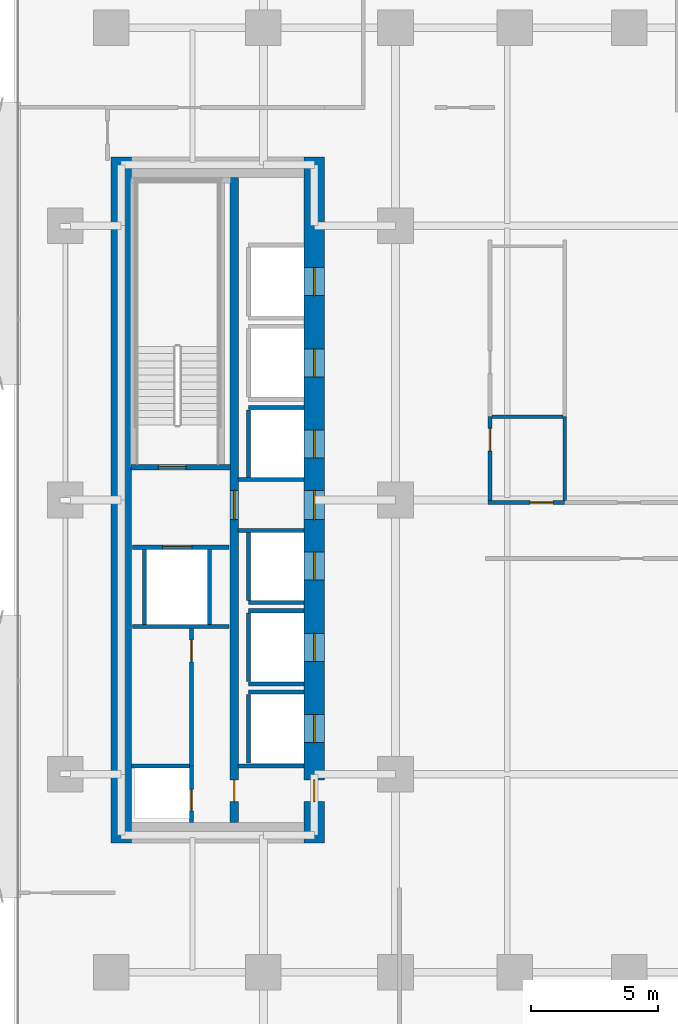
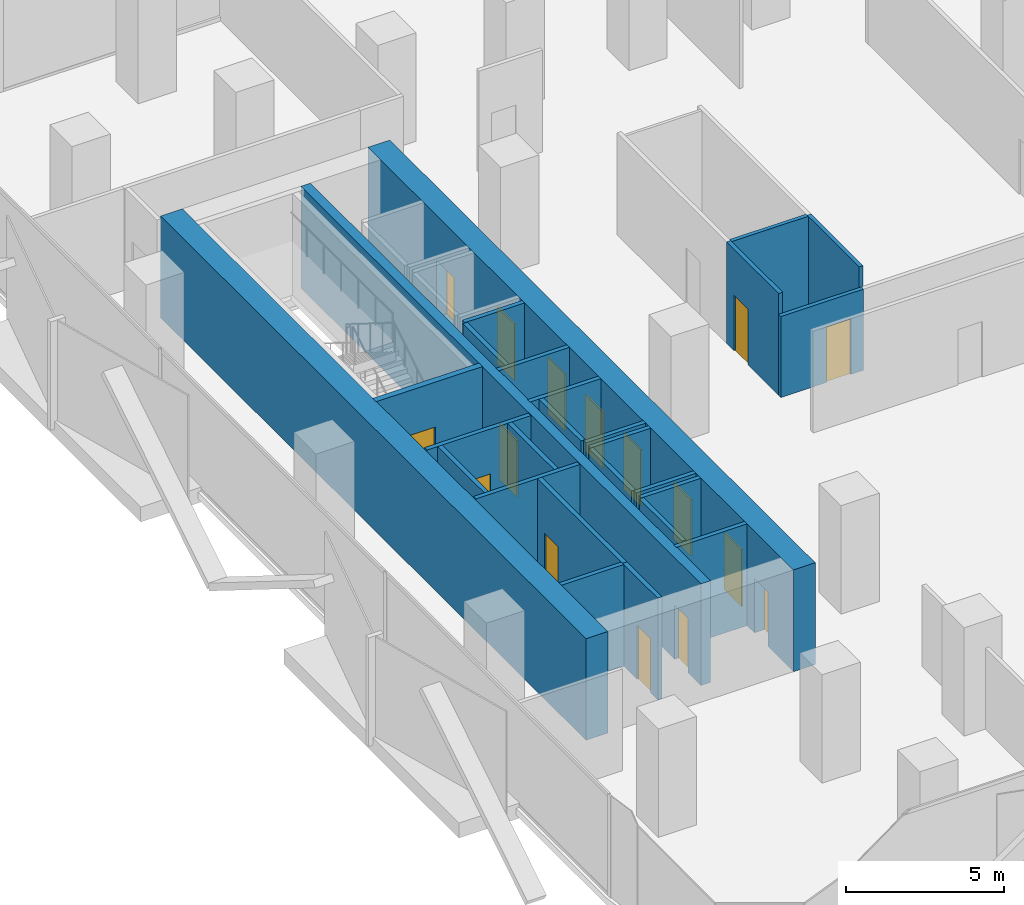
# One storey, part 3 of 15: 27 walls, 16 doors, 16 openings.
"""IFC4 building model written with IfcOpenShell, lengths in metres."""

from ifc_helpers import new_model, si_unit, direction, frame, frame_2d, origin, place, context, subcontext, project, spatial, rectangle, extrude, material, layer, layer_set, type_object, element, fill, save


model = new_model("IFC4")

# Units and contexts
model_context = context("Model", 3, precision=1e-05, world=origin(), true_north=direction((0.0, 1.0)))
body_context = subcontext(model_context, "Body", "Model", "MODEL_VIEW")
ifc_project = project(units=[si_unit("LENGTHUNIT", "METRE"), si_unit("AREAUNIT", "SQUARE_METRE"), si_unit("VOLUMEUNIT", "CUBIC_METRE"), si_unit("PLANEANGLEUNIT", "RADIAN"), si_unit("MASSUNIT", "GRAM", prefix="KILO")], contexts=[model_context])

# Site, building, storey
site_placement = place(None, origin())
site = spatial("IfcSite", under=ifc_project, at=site_placement, CompositionType="ELEMENT")
building_placement = place(site_placement, origin())
building = spatial("IfcBuilding", under=site, at=building_placement, Name="Khairoan Windgate Tower", CompositionType="ELEMENT")
storey_placement = place(building_placement, frame((0.0, 0.0, 51.199951171875)))
storey = spatial("IfcBuildingStorey", under=building, at=storey_placement, Name="L12", CompositionType="ELEMENT", Elevation=51.199951171875)

# Walls
ifc_material_1 = material(Name="Concrete C40/50", Category="concrete")
ifc_layer_1 = layer(ifc_material_1, 0.159912109375, Name="Concrete C40/50")
ifc_layer_set_1 = layer_set([ifc_layer_1], Name="Concrete C40/50")
wall_type_1 = type_object("IfcWallType", Name="Core and Hoistway Enclosure Wall", PredefinedType="STANDARD", material=ifc_layer_set_1)
wall_1_placement = place(storey_placement, frame((-14.989990234375, 3.639892578125, 0.0), z_axis=(0.0, 0.0, 1.0), x_axis=(1.0, 0.0, 0.0)))
element("IfcWall", 1, at=wall_1_placement, inside=storey, type_object=wall_type_1, Name="L12 Lift PL3 Hoistway Divider N", PredefinedType="STANDARD", context=body_context, shape_type="SweptSolid", body=[
    extrude(rectangle(XDim=2.18994140625, YDim=0.159912109375, at=frame_2d((1.094970703125, 0.0))), origin(), (0.0, 0.0, 1.0), 3.93994140625),
])
wall_2_placement = place(storey_placement, frame((-14.989990234375, 0.85009765625, 0.0), z_axis=(0.0, 0.0, 1.0), x_axis=(0.0, 1.0, 0.0)))
element("IfcWall", 2, at=wall_2_placement, inside=storey, type_object=wall_type_1, Name="L12 Lift PL3 Hoistway Back Wall", PredefinedType="STANDARD", context=body_context, shape_type="SweptSolid", body=[
    extrude(rectangle(XDim=2.699951171875, YDim=0.159912109375, at=frame_2d((1.35009765625, 0.0))), origin(), (0.0, 0.0, 1.0), 3.93994140625),
])
wall_3_placement = place(storey_placement, frame((-14.989990234375, -4.0400390625, 0.0), z_axis=(0.0, 0.0, 1.0), x_axis=(1.0, 0.0, 0.0)))
element("IfcWall", 3, at=wall_3_placement, inside=storey, type_object=wall_type_1, Name="L12 Lift PL4 Hoistway Divider S", PredefinedType="STANDARD", context=body_context, shape_type="SweptSolid", body=[
    extrude(rectangle(XDim=2.18994140625, YDim=0.159912109375, at=frame_2d((1.094970703125, 0.0))), origin(), (0.0, 0.0, 1.0), 3.93994140625),
])
wall_4_placement = place(storey_placement, frame((-14.989990234375, -3.949951171875, 0.0), z_axis=(0.0, 0.0, 1.0), x_axis=(0.0, 1.0, 0.0)))
element("IfcWall", 4, at=wall_4_placement, inside=storey, type_object=wall_type_1, Name="L12 Lift PL4 Hoistway Back Wall", PredefinedType="STANDARD", context=body_context, shape_type="SweptSolid", body=[
    extrude(rectangle(XDim=2.699951171875, YDim=0.159912109375, at=frame_2d((1.35009765625, 0.0))), origin(), (0.0, 0.0, 1.0), 3.93994140625),
])
for number, where, z_axis, x_axis, name in (
    (5, (-14.989990234375, -7.239990234375, 0.0), (0.0, 0.0, 1.0), (1.0, 0.0, 0.0), "L12 Lift PL5 Hoistway Divider S"),
    (6, (-14.989990234375, -4.360107421875, 0.0), (0.0, 0.0, 1.0), (1.0, 0.0, 0.0), "L12 Lift PL5 Hoistway Divider N"),
):
    element("IfcWall", number, at=place(storey_placement, frame(where, z_axis=z_axis, x_axis=x_axis)), inside=storey, type_object=wall_type_1, Name=name, PredefinedType="STANDARD", context=body_context, shape_type="SweptSolid", body=[
        extrude(rectangle(XDim=2.18994140625, YDim=0.159912109375, at=frame_2d((1.094970703125, 0.0))), origin(), (0.0, 0.0, 1.0), 3.93994140625),
    ])
wall_5_placement = place(storey_placement, frame((-14.989990234375, -7.14990234375, 0.0), z_axis=(0.0, 0.0, 1.0), x_axis=(0.0, 1.0, 0.0)))
element("IfcWall", 7, at=wall_5_placement, inside=storey, type_object=wall_type_1, Name="L12 Lift PL5 Hoistway Back Wall", PredefinedType="STANDARD", context=body_context, shape_type="SweptSolid", body=[
    extrude(rectangle(XDim=2.699951171875, YDim=0.159912109375, at=frame_2d((1.35009765625, 0.0))), origin(), (0.0, 0.0, 1.0), 3.93994140625),
])
wall_6_placement = place(storey_placement, frame((-14.989990234375, -7.56005859375, 0.0), z_axis=(0.0, 0.0, 1.0), x_axis=(1.0, 0.0, 0.0)))
element("IfcWall", 8, at=wall_6_placement, inside=storey, type_object=wall_type_1, Name="L12 Lift PL6 Hoistway Divider N", PredefinedType="STANDARD", context=body_context, shape_type="SweptSolid", body=[
    extrude(rectangle(XDim=2.18994140625, YDim=0.159912109375, at=frame_2d((1.094970703125, 0.0))), origin(), (0.0, 0.0, 1.0), 3.93994140625),
])
wall_7_placement = place(storey_placement, frame((-14.989990234375, -10.35009765625, 0.0), z_axis=(0.0, 0.0, 1.0), x_axis=(0.0, 1.0, 0.0)))
element("IfcWall", 9, at=wall_7_placement, inside=storey, type_object=wall_type_1, Name="L12 Lift PL6 Hoistway Back Wall", PredefinedType="STANDARD", context=body_context, shape_type="SweptSolid", body=[
    extrude(rectangle(XDim=2.7001953125, YDim=0.159912109375, at=frame_2d((1.35009765625, 0.0))), origin(), (0.0, 0.0, 1.0), 3.93994140625),
])

# Wall, opening, door
wall_8_placement = place(storey_placement, frame((-19.550048828125, -1.860107421875, 0.0), z_axis=(0.0, 0.0, 1.0), x_axis=(1.0, 0.0, 0.0)))
wall_8 = element("IfcWall", 10, at=wall_8_placement, inside=storey, type_object=wall_type_1, Name="L12 Core Shaft Wall SW-FL2-L12", PredefinedType="STANDARD", context=body_context, shape_type="SweptSolid", body=[
    extrude(rectangle(XDim=3.800048828125, YDim=0.159912109375, at=frame_2d((1.89990234375, 0.0))), origin(), (0.0, 0.0, 1.0), 3.93994140625),
])
opening_1_placement = place(wall_8_placement, frame((1.179931640625, 0.0, 0.0)))
opening_1 = element("IfcOpeningElement", 11, at=opening_1_placement, cuts=wall_8, Name="Opening LD-FL", PredefinedType="OPENING", context=body_context, shape_type="SweptSolid", body=[
    extrude(rectangle(XDim=1.14990234375, YDim=2.199951171875, at=frame_2d((0.574951171875, 1.10009765625))), frame((0.0, 0.08984375, 0.0), z_axis=(0.0, -1.0, 0.0), x_axis=(1.0, 0.0, 0.0)), (0.0, 0.0, 1.0), 0.179931640625),
])
ifc_material_2 = material(Name="Steel S355", Category="steel")
door_type_1 = type_object("IfcDoorType", Name="Firefighting Lift Sliding Landing Door LD-FL 1150x2200", OperationType="DOUBLE_DOOR_SLIDING", PredefinedType="DOOR", material=ifc_material_2)
door_1_placement = place(opening_1_placement, origin())
door_1 = element("IfcDoor", 12, at=door_1_placement, inside=storey, type_object=door_type_1, Name="L12 Firefighting Lift FL2 Landing Door", OperationType="DOUBLE_DOOR_SLIDING", OverallHeight=2.199951171875, OverallWidth=1.14990234375, PredefinedType="DOOR", context=body_context, shape_type="SweptSolid", body=[
    extrude(rectangle(XDim=1.14990234375, YDim=2.199951171875, at=frame_2d((0.574951171875, 1.10009765625))), frame((0.0, 0.02490234375, 0.0), z_axis=(0.0, -1.0, 0.0), x_axis=(1.0, 0.0, 0.0)), (0.0, 0.0, 1.0), 0.050048828125),
])
fill(opening_1, door_1)

# Walls
wall_9_placement = place(storey_placement, frame((-19.550048828125, -4.97998046875, 0.0), z_axis=(0.0, 0.0, 1.0), x_axis=(1.0, 0.0, 0.0)))
element("IfcWall", 13, at=wall_9_placement, inside=storey, type_object=wall_type_1, Name="L12 Core Shaft Wall SW-FL2B-L12", PredefinedType="STANDARD", context=body_context, shape_type="SweptSolid", body=[
    extrude(rectangle(XDim=3.800048828125, YDim=0.159912109375, at=frame_2d((1.89990234375, 0.0))), origin(), (0.0, 0.0, 1.0), 3.93994140625),
])
for number, where, z_axis, x_axis, name in (
    (14, (-19.080078125, -4.89990234375, 0.0), (0.0, 0.0, 1.0), (0.0, 1.0, 0.0), "L12 Core Shaft Wall SW-FL2W-L12"),
    (15, (-16.52001953125, -4.89990234375, 0.0), (0.0, 0.0, 1.0), (0.0, 1.0, 0.0), "L12 Core Shaft Wall SW-FL2E-L12"),
):
    element("IfcWall", number, at=place(storey_placement, frame(where, z_axis=z_axis, x_axis=x_axis)), inside=storey, type_object=wall_type_1, Name=name, PredefinedType="STANDARD", context=body_context, shape_type="SweptSolid", body=[
        extrude(rectangle(XDim=2.9599609375, YDim=0.159912109375, at=frame_2d((1.47998046875, 0.0))), origin(), (0.0, 0.0, 1.0), 3.93994140625),
    ])
for number, where, z_axis, x_axis, name in (
    (16, (-15.39990234375, 0.800048828125, 0.0), (0.0, 0.0, 1.0), (1.0, 0.0, 0.0), "L12 Core Shaft Wall SW-WV1-L12"),
    (17, (-15.39990234375, -1.199951171875, 0.0), (0.0, 0.0, 1.0), (1.0, 0.0, 0.0), "L12 Core Shaft Wall SW-WV2-L12"),
    (18, (-15.39990234375, -10.47998046875, 0.0), (0.0, 0.0, 1.0), (1.0, 0.0, 0.0), "L12 Core Shaft Wall SW-WSV-L12"),
):
    element("IfcWall", number, at=place(storey_placement, frame(where, z_axis=z_axis, x_axis=x_axis)), inside=storey, type_object=wall_type_1, Name=name, PredefinedType="STANDARD", context=body_context, shape_type="SweptSolid", body=[
        extrude(rectangle(XDim=2.599853515625, YDim=0.159912109375, at=frame_2d((1.2998046875, 0.0))), origin(), (0.0, 0.0, 1.0), 3.93994140625),
    ])
ifc_material_3 = material(Name="Acoustic Fire-Rated Gypsum Partition", Category="gypsum")
ifc_layer_2 = layer(ifc_material_3, 0.139892578125, Name="Acoustic Fire-Rated Gypsum Partition")
ifc_layer_set_2 = layer_set([ifc_layer_2], Name="Acoustic Fire-Rated Gypsum Partition")
wall_type_2 = type_object("IfcWallType", Name="Inter-Tenancy Compartment Wall", PredefinedType="PARTITIONING", material=ifc_layer_set_2)
wall_10_placement = place(storey_placement, frame((-5.409912109375, 3.280029296875, 0.0), z_axis=(0.0, 0.0, 1.0), x_axis=(1.0, 0.0, 0.0)))
element("IfcWall", 19, at=wall_10_placement, inside=storey, type_object=wall_type_2, Name="L12 Interior Partition 034", PredefinedType="PARTITIONING", context=body_context, shape_type="SweptSolid", body=[
    extrude(rectangle(XDim=2.7998046875, YDim=0.139892578125, at=frame_2d((1.39990234375, 0.0))), origin(), (0.0, 0.0, 1.0), 3.93994140625),
])
wall_11_placement = place(storey_placement, frame((-2.5400390625, -0.02001953125, 0.0), z_axis=(0.0, 0.0, 1.0), x_axis=(0.0, 1.0, 0.0)))
element("IfcWall", 20, at=wall_11_placement, inside=storey, type_object=wall_type_2, Name="L12 Interior Partition 035", PredefinedType="PARTITIONING", context=body_context, shape_type="SweptSolid", body=[
    extrude(rectangle(XDim=3.300048828125, YDim=0.139892578125, at=frame_2d((1.64990234375, 0.0))), origin(), (0.0, 0.0, 1.0), 3.93994140625),
])

# Wall, opening, door
ifc_material_4 = material(Name="Concrete C40/50", Category="concrete")
ifc_layer_3 = layer(ifc_material_4, 0.159912109375, Name="Concrete C40/50")
ifc_layer_set_3 = layer_set([ifc_layer_3], Name="Concrete C40/50")
wall_type_3 = type_object("IfcWallType", Name="Plant and Refuge Compartment Wall", PredefinedType="PARTITIONING", material=ifc_layer_set_3)
wall_12_placement = place(storey_placement, frame((-17.22998046875, -12.699951171875, 0.0), z_axis=(0.0, 0.0, 1.0), x_axis=(0.0, 1.0, 0.0)))
wall_12 = element("IfcWall", 21, at=wall_12_placement, inside=storey, type_object=wall_type_3, Name="L12 Interior Partition 001", PredefinedType="PARTITIONING", context=body_context, shape_type="SweptSolid", body=[
    extrude(rectangle(XDim=2.22998046875, YDim=0.159912109375, at=frame_2d((1.114990234375, 0.0))), origin(), (0.0, 0.0, 1.0), 3.93994140625),
])
opening_2_placement = place(wall_12_placement, frame((0.4599609375, 0.0, 0.0)))
opening_2 = element("IfcOpeningElement", 22, at=opening_2_placement, cuts=wall_12, Name="Opening FD-SRV", PredefinedType="OPENING", context=body_context, shape_type="SweptSolid", body=[
    extrude(rectangle(XDim=0.85009765625, YDim=2.10009765625, at=frame_2d((0.425048828125, 1.050048828125))), frame((0.0, 0.08984375, 0.0), z_axis=(0.0, -1.0, 0.0), x_axis=(1.0, 0.0, 0.0)), (0.0, 0.0, 1.0), 0.179931640625),
])
ifc_material_5 = material(Name="Steel S355", Category="steel")
door_type_2 = type_object("IfcDoorType", Name="Core Service and Riser Fire Door FD-SRV 850x2100", OperationType="NOTDEFINED", PredefinedType="DOOR", material=ifc_material_5)
door_2_placement = place(opening_2_placement, origin())
door_2 = element("IfcDoor", 23, at=door_2_placement, inside=storey, type_object=door_type_2, Name="L12 L12-04-L12-05 Door", OperationType="SINGLE_SWING_RIGHT", OverallHeight=2.10009765625, OverallWidth=0.85009765625, PredefinedType="DOOR", context=body_context, shape_type="SweptSolid", body=[
    extrude(rectangle(XDim=0.85009765625, YDim=2.10009765625, at=frame_2d((0.425048828125, 1.050048828125))), frame((0.0, 0.02490234375, 0.0), z_axis=(0.0, -1.0, 0.0), x_axis=(1.0, 0.0, 0.0)), (0.0, 0.0, 1.0), 0.050048828125),
])
fill(opening_2, door_2)

wall_13_placement = place(storey_placement, frame((-17.22998046875, -10.469970703125, 0.0), z_axis=(0.0, 0.0, 1.0), x_axis=(0.0, 1.0, 0.0)))
wall_13 = element("IfcWall", 24, at=wall_13_placement, inside=storey, type_object=wall_type_3, Name="L12 Interior Partition 002", PredefinedType="PARTITIONING", context=body_context, shape_type="SweptSolid", body=[
    extrude(rectangle(XDim=5.409912109375, YDim=0.159912109375, at=frame_2d((2.705078125, 0.0))), origin(), (0.0, 0.0, 1.0), 3.93994140625),
])
opening_3_placement = place(wall_13_placement, frame((4.10009765625, 0.0, 0.0)))
opening_3 = element("IfcOpeningElement", 25, at=opening_3_placement, cuts=wall_13, Name="Opening FD-SRV", PredefinedType="OPENING", context=body_context, shape_type="SweptSolid", body=[
    extrude(rectangle(XDim=0.85009765625, YDim=2.10009765625, at=frame_2d((0.425048828125, 1.050048828125))), frame((0.0, 0.08984375, 0.0), z_axis=(0.0, -1.0, 0.0), x_axis=(1.0, 0.0, 0.0)), (0.0, 0.0, 1.0), 0.179931640625),
])
door_3_placement = place(opening_3_placement, origin())
door_3 = element("IfcDoor", 26, at=door_3_placement, inside=storey, type_object=door_type_2, Name="L12 L12-04-L12-06 Door", OperationType="SINGLE_SWING_LEFT", OverallHeight=2.10009765625, OverallWidth=0.85009765625, PredefinedType="DOOR", context=body_context, shape_type="SweptSolid", body=[
    extrude(rectangle(XDim=0.85009765625, YDim=2.10009765625, at=frame_2d((0.425048828125, 1.050048828125))), frame((0.0, 0.02490234375, 0.0), z_axis=(0.0, -1.0, 0.0), x_axis=(1.0, 0.0, 0.0)), (0.0, 0.0, 1.0), 0.050048828125),
])
fill(opening_3, door_3)

# Wall
wall_14_placement = place(storey_placement, frame((-19.60009765625, -10.469970703125, 0.0), z_axis=(0.0, 0.0, 1.0), x_axis=(1.0, 0.0, 0.0)))
element("IfcWall", 27, at=wall_14_placement, inside=storey, type_object=wall_type_3, Name="L12 Interior Partition 003", PredefinedType="PARTITIONING", context=body_context, shape_type="SweptSolid", body=[
    extrude(rectangle(XDim=2.2900390625, YDim=0.159912109375, at=frame_2d((1.14501953125, 0.0))), origin(), (0.0, 0.0, 1.0), 3.93994140625),
])

# Wall, opening, door
ifc_material_6 = material(Name="Acoustic Fire-Rated Gypsum Partition", Category="gypsum")
ifc_layer_4 = layer(ifc_material_6, 0.14990234375, Name="Acoustic Fire-Rated Gypsum Partition")
ifc_layer_set_4 = layer_set([ifc_layer_4], Name="Acoustic Fire-Rated Gypsum Partition")
wall_type_4 = type_object("IfcWallType", Name="Rated Corridor Partition Wall", PredefinedType="PARTITIONING", material=ifc_layer_set_4)
wall_15_placement = place(storey_placement, frame((-5.56005859375, -0.094970703125, 0.0), z_axis=(0.0, 0.0, 1.0), x_axis=(1.0, 0.0, 0.0)))
wall_15 = element("IfcWall", 28, at=wall_15_placement, inside=storey, type_object=wall_type_4, Name="L12 Interior Partition 011", PredefinedType="PARTITIONING", context=body_context, shape_type="SweptSolid", body=[
    extrude(rectangle(XDim=3.02001953125, YDim=0.14990234375, at=frame_2d((1.510009765625, 0.0))), origin(), (0.0, 0.0, 1.0), 3.14013671875),
])
opening_4_placement = place(wall_15_placement, frame((1.659912109375, 0.0, 0.0)))
opening_4 = element("IfcOpeningElement", 29, at=opening_4_placement, cuts=wall_15, Name="Opening FD-ENT", PredefinedType="OPENING", context=body_context, shape_type="SweptSolid", body=[
    extrude(rectangle(XDim=0.89990234375, YDim=2.14990234375, at=frame_2d((0.449951171875, 1.074951171875))), frame((0.0, 0.0849609375, 0.0), z_axis=(0.0, -1.0, 0.0), x_axis=(1.0, 0.0, 0.0)), (0.0, 0.0, 1.0), 0.169921875),
])
ifc_material_7 = material(Name="Timber Fire-Rated Core", Category="wood")
door_type_3 = type_object("IfcDoorType", Name="Unit and Office Fire Entrance Door FD-ENT 900x2150", OperationType="NOTDEFINED", PredefinedType="DOOR", material=ifc_material_7)
door_4_placement = place(opening_4_placement, origin())
door_4 = element("IfcDoor", 30, at=door_4_placement, inside=storey, type_object=door_type_3, Name="L12 L12-31-L12-47 Door", OperationType="SINGLE_SWING_RIGHT", OverallHeight=2.14990234375, OverallWidth=0.89990234375, PredefinedType="DOOR", context=body_context, shape_type="SweptSolid", body=[
    extrude(rectangle(XDim=0.89990234375, YDim=2.14990234375, at=frame_2d((0.449951171875, 1.074951171875))), frame((0.0, 0.02490234375, 0.0), z_axis=(0.0, -1.0, 0.0), x_axis=(1.0, 0.0, 0.0)), (0.0, 0.0, 1.0), 0.050048828125),
])
fill(opening_4, door_4)

wall_16_placement = place(storey_placement, frame((-5.485107421875, -0.02001953125, 0.0), z_axis=(0.0, 0.0, 1.0), x_axis=(0.0, 1.0, 0.0)))
wall_16 = element("IfcWall", 31, at=wall_16_placement, inside=storey, type_object=wall_type_4, Name="L12 Interior Partition 015", PredefinedType="PARTITIONING", context=body_context, shape_type="SweptSolid", body=[
    extrude(rectangle(XDim=3.300048828125, YDim=0.14990234375, at=frame_2d((1.64990234375, 0.0))), origin(), (0.0, 0.0, 1.0), 3.93994140625),
])
opening_5_placement = place(wall_16_placement, frame((1.93994140625, 0.0, 0.0)))
opening_5 = element("IfcOpeningElement", 32, at=opening_5_placement, cuts=wall_16, Name="Opening FD-ENT", PredefinedType="OPENING", context=body_context, shape_type="SweptSolid", body=[
    extrude(rectangle(XDim=0.89990234375, YDim=2.14990234375, at=frame_2d((0.449951171875, 1.074951171875))), frame((0.0, 0.0849609375, 0.0), z_axis=(0.0, -1.0, 0.0), x_axis=(1.0, 0.0, 0.0)), (0.0, 0.0, 1.0), 0.169921875),
])
door_5_placement = place(opening_5_placement, origin())
door_5 = element("IfcDoor", 33, at=door_5_placement, inside=storey, type_object=door_type_3, Name="L12 L12-32-L12-47 Door", OperationType="SINGLE_SWING_RIGHT", OverallHeight=2.14990234375, OverallWidth=0.89990234375, PredefinedType="DOOR", context=body_context, shape_type="SweptSolid", body=[
    extrude(rectangle(XDim=0.89990234375, YDim=2.14990234375, at=frame_2d((0.449951171875, 1.074951171875))), frame((0.0, 0.02490234375, 0.0), z_axis=(0.0, -1.0, 0.0), x_axis=(1.0, 0.0, 0.0)), (0.0, 0.0, 1.0), 0.050048828125),
])
fill(opening_5, door_5)

# Wall
ifc_material_8 = material(Name="Concrete C70/85", Category="concrete")
ifc_layer_5 = layer(ifc_material_8, 0.800048828125, Name="Concrete C70/85")
ifc_layer_set_5 = layer_set([ifc_layer_5], Name="Concrete C70/85")
wall_type_5 = type_object("IfcWallType", Name="Shear Wall CW-W1 800mm", PredefinedType="SHEAR", material=ifc_layer_set_5)
wall_17_placement = place(storey_placement, frame((-20.0, -13.5, 0.0), z_axis=(0.0, 0.0, 1.0), x_axis=(0.0, 1.0, 0.0)))
element("IfcWall", 34, at=wall_17_placement, inside=storey, type_object=wall_type_5, Name="W Core West Shear Wall L12", PredefinedType="SHEAR", context=body_context, shape_type="SweptSolid", body=[
    extrude(rectangle(XDim=27.0, YDim=0.800048828125, at=frame_2d((13.5, 0.0))), origin(), (0.0, 0.0, 1.0), 3.93994140625),
])

# Wall, openings, doors
wall_18_placement = place(storey_placement, frame((-12.39990234375, -13.5, 0.0), z_axis=(0.0, 0.0, 1.0), x_axis=(0.0, 1.0, 0.0)))
wall_18 = element("IfcWall", 35, at=wall_18_placement, inside=storey, type_object=wall_type_5, Name="W Core East Shear Wall L12", PredefinedType="SHEAR", context=body_context, shape_type="SweptSolid", body=[
    extrude(rectangle(XDim=27.0, YDim=0.800048828125, at=frame_2d((13.5, 0.0))), origin(), (0.0, 0.0, 1.0), 3.93994140625),
])
opening_6_placement = place(wall_18_placement, frame((21.550048828125, 0.0, 0.0)))
opening_6 = element("IfcOpeningElement", 36, at=opening_6_placement, cuts=wall_18, Name="Opening LD-PL", PredefinedType="OPENING", context=body_context, shape_type="SweptSolid", body=[
    extrude(rectangle(XDim=1.10009765625, YDim=2.199951171875, at=frame_2d((0.550048828125, 1.10009765625))), frame((0.0, 0.409912109375, 0.0), z_axis=(0.0, -1.0, 0.0), x_axis=(1.0, 0.0, 0.0)), (0.0, 0.0, 1.0), 0.820068359375),
])
opening_7_placement = place(wall_18_placement, frame((18.35009765625, 0.0, 0.0)))
opening_7 = element("IfcOpeningElement", 37, at=opening_7_placement, cuts=wall_18, Name="Opening LD-PL", PredefinedType="OPENING", context=body_context, shape_type="SweptSolid", body=[
    extrude(rectangle(XDim=1.10009765625, YDim=2.199951171875, at=frame_2d((0.550048828125, 1.10009765625))), frame((0.0, 0.409912109375, 0.0), z_axis=(0.0, -1.0, 0.0), x_axis=(1.0, 0.0, 0.0)), (0.0, 0.0, 1.0), 0.820068359375),
])
opening_8_placement = place(wall_18_placement, frame((15.14990234375, 0.0, 0.0)))
opening_8 = element("IfcOpeningElement", 38, at=opening_8_placement, cuts=wall_18, Name="Opening LD-PL", PredefinedType="OPENING", context=body_context, shape_type="SweptSolid", body=[
    extrude(rectangle(XDim=1.10009765625, YDim=2.199951171875, at=frame_2d((0.550048828125, 1.10009765625))), frame((0.0, 0.409912109375, 0.0), z_axis=(0.0, -1.0, 0.0), x_axis=(1.0, 0.0, 0.0)), (0.0, 0.0, 1.0), 0.820068359375),
])
opening_9_placement = place(wall_18_placement, frame((10.35009765625, 0.0, 0.0)))
opening_9 = element("IfcOpeningElement", 39, at=opening_9_placement, cuts=wall_18, Name="Opening LD-PL", PredefinedType="OPENING", context=body_context, shape_type="SweptSolid", body=[
    extrude(rectangle(XDim=1.10009765625, YDim=2.199951171875, at=frame_2d((0.550048828125, 1.10009765625))), frame((0.0, 0.409912109375, 0.0), z_axis=(0.0, -1.0, 0.0), x_axis=(1.0, 0.0, 0.0)), (0.0, 0.0, 1.0), 0.820068359375),
])
opening_10_placement = place(wall_18_placement, frame((7.14990234375, 0.0, 0.0)))
opening_10 = element("IfcOpeningElement", 40, at=opening_10_placement, cuts=wall_18, Name="Opening LD-PL", PredefinedType="OPENING", context=body_context, shape_type="SweptSolid", body=[
    extrude(rectangle(XDim=1.10009765625, YDim=2.199951171875, at=frame_2d((0.550048828125, 1.10009765625))), frame((0.0, 0.409912109375, 0.0), z_axis=(0.0, -1.0, 0.0), x_axis=(1.0, 0.0, 0.0)), (0.0, 0.0, 1.0), 0.820068359375),
])
opening_11_placement = place(wall_18_placement, frame((3.949951171875, 0.0, 0.0)))
opening_11 = element("IfcOpeningElement", 41, at=opening_11_placement, cuts=wall_18, Name="Opening LD-PL", PredefinedType="OPENING", context=body_context, shape_type="SweptSolid", body=[
    extrude(rectangle(XDim=1.10009765625, YDim=2.199951171875, at=frame_2d((0.550048828125, 1.10009765625))), frame((0.0, 0.409912109375, 0.0), z_axis=(0.0, -1.0, 0.0), x_axis=(1.0, 0.0, 0.0)), (0.0, 0.0, 1.0), 0.820068359375),
])
opening_12_placement = place(wall_18_placement, frame((12.72509765625, 0.0, 0.0)))
opening_12 = element("IfcOpeningElement", 42, at=opening_12_placement, cuts=wall_18, Name="Opening FD-FFL", PredefinedType="OPENING", context=body_context, shape_type="SweptSolid", body=[
    extrude(rectangle(XDim=1.14990234375, YDim=2.199951171875, at=frame_2d((0.574951171875, 1.10009765625))), frame((0.0, 0.409912109375, 0.0), z_axis=(0.0, -1.0, 0.0), x_axis=(1.0, 0.0, 0.0)), (0.0, 0.0, 1.0), 0.820068359375),
])
opening_13_placement = place(wall_18_placement, frame((1.625, 0.0, 0.0)))
opening_13 = element("IfcOpeningElement", 43, at=opening_13_placement, cuts=wall_18, Name="Opening FD-SRV", PredefinedType="OPENING", context=body_context, shape_type="SweptSolid", body=[
    extrude(rectangle(XDim=0.85009765625, YDim=2.10009765625, at=frame_2d((0.425048828125, 1.050048828125))), frame((0.0, 0.409912109375, 0.0), z_axis=(0.0, -1.0, 0.0), x_axis=(1.0, 0.0, 0.0)), (0.0, 0.0, 1.0), 0.820068359375),
])
door_6_placement = place(opening_13_placement, origin())
door_6 = element("IfcDoor", 44, at=door_6_placement, inside=storey, type_object=door_type_2, Name="L12 West Core Service Vestibule Outer Door", OperationType="SINGLE_SWING_RIGHT", OverallHeight=2.10009765625, OverallWidth=0.85009765625, PredefinedType="DOOR", context=body_context, shape_type="SweptSolid", body=[
    extrude(rectangle(XDim=0.85009765625, YDim=2.10009765625, at=frame_2d((0.425048828125, 1.050048828125))), frame((0.0, 0.02490234375, 0.0), z_axis=(0.0, -1.0, 0.0), x_axis=(1.0, 0.0, 0.0)), (0.0, 0.0, 1.0), 0.050048828125),
])
fill(opening_13, door_6)
ifc_material_9 = material(Name="Steel S355", Category="steel")
door_type_4 = type_object("IfcDoorType", Name="Firefighting Lobby Fire Door FD-FFL 1150x2200", OperationType="NOTDEFINED", PredefinedType="DOOR", material=ifc_material_9)
door_7_placement = place(opening_12_placement, origin())
door_7 = element("IfcDoor", 45, at=door_7_placement, inside=storey, type_object=door_type_4, Name="L12 West Core Vestibule Entry Door", OperationType="SINGLE_SWING_RIGHT", OverallHeight=2.199951171875, OverallWidth=1.14990234375, PredefinedType="DOOR", context=body_context, shape_type="SweptSolid", body=[
    extrude(rectangle(XDim=1.14990234375, YDim=2.199951171875, at=frame_2d((0.574951171875, 1.10009765625))), frame((0.0, 0.02490234375, 0.0), z_axis=(0.0, -1.0, 0.0), x_axis=(1.0, 0.0, 0.0)), (0.0, 0.0, 1.0), 0.050048828125),
])
fill(opening_12, door_7)
ifc_material_10 = material(Name="Anodised Bronze Aluminium 6063-T6", Category="aluminium")
door_type_5 = type_object("IfcDoorType", Name="Passenger Lift Sliding Landing Door LD-PL 1100x2200", OperationType="DOUBLE_DOOR_SLIDING", PredefinedType="DOOR", material=ifc_material_10)
door_8_placement = place(opening_6_placement, origin())
door_8 = element("IfcDoor", 46, at=door_8_placement, inside=storey, type_object=door_type_5, Name="L12 Lift PL1 Sliding Landing Door", OperationType="DOUBLE_DOOR_SLIDING", OverallHeight=2.199951171875, OverallWidth=1.10009765625, PredefinedType="DOOR", context=body_context, shape_type="SweptSolid", body=[
    extrude(rectangle(XDim=1.10009765625, YDim=2.199951171875, at=frame_2d((0.550048828125, 1.10009765625))), frame((0.0, 0.02490234375, 0.0), z_axis=(0.0, -1.0, 0.0), x_axis=(1.0, 0.0, 0.0)), (0.0, 0.0, 1.0), 0.050048828125),
])
fill(opening_6, door_8)
door_9_placement = place(opening_7_placement, origin())
door_9 = element("IfcDoor", 47, at=door_9_placement, inside=storey, type_object=door_type_5, Name="L12 Lift PL2 Sliding Landing Door", OperationType="DOUBLE_DOOR_SLIDING", OverallHeight=2.199951171875, OverallWidth=1.10009765625, PredefinedType="DOOR", context=body_context, shape_type="SweptSolid", body=[
    extrude(rectangle(XDim=1.10009765625, YDim=2.199951171875, at=frame_2d((0.550048828125, 1.10009765625))), frame((0.0, 0.02490234375, 0.0), z_axis=(0.0, -1.0, 0.0), x_axis=(1.0, 0.0, 0.0)), (0.0, 0.0, 1.0), 0.050048828125),
])
fill(opening_7, door_9)
door_10_placement = place(opening_8_placement, origin())
door_10 = element("IfcDoor", 48, at=door_10_placement, inside=storey, type_object=door_type_5, Name="L12 Lift PL3 Sliding Landing Door", OperationType="DOUBLE_DOOR_SLIDING", OverallHeight=2.199951171875, OverallWidth=1.10009765625, PredefinedType="DOOR", context=body_context, shape_type="SweptSolid", body=[
    extrude(rectangle(XDim=1.10009765625, YDim=2.199951171875, at=frame_2d((0.550048828125, 1.10009765625))), frame((0.0, 0.02490234375, 0.0), z_axis=(0.0, -1.0, 0.0), x_axis=(1.0, 0.0, 0.0)), (0.0, 0.0, 1.0), 0.050048828125),
])
fill(opening_8, door_10)
door_11_placement = place(opening_9_placement, origin())
door_11 = element("IfcDoor", 49, at=door_11_placement, inside=storey, type_object=door_type_5, Name="L12 Lift PL4 Sliding Landing Door", OperationType="DOUBLE_DOOR_SLIDING", OverallHeight=2.199951171875, OverallWidth=1.10009765625, PredefinedType="DOOR", context=body_context, shape_type="SweptSolid", body=[
    extrude(rectangle(XDim=1.10009765625, YDim=2.199951171875, at=frame_2d((0.550048828125, 1.10009765625))), frame((0.0, 0.02490234375, 0.0), z_axis=(0.0, -1.0, 0.0), x_axis=(1.0, 0.0, 0.0)), (0.0, 0.0, 1.0), 0.050048828125),
])
fill(opening_9, door_11)
door_12_placement = place(opening_10_placement, origin())
door_12 = element("IfcDoor", 50, at=door_12_placement, inside=storey, type_object=door_type_5, Name="L12 Lift PL5 Sliding Landing Door", OperationType="DOUBLE_DOOR_SLIDING", OverallHeight=2.199951171875, OverallWidth=1.10009765625, PredefinedType="DOOR", context=body_context, shape_type="SweptSolid", body=[
    extrude(rectangle(XDim=1.10009765625, YDim=2.199951171875, at=frame_2d((0.550048828125, 1.10009765625))), frame((0.0, 0.02490234375, 0.0), z_axis=(0.0, -1.0, 0.0), x_axis=(1.0, 0.0, 0.0)), (0.0, 0.0, 1.0), 0.050048828125),
])
fill(opening_10, door_12)
door_13_placement = place(opening_11_placement, origin())
door_13 = element("IfcDoor", 51, at=door_13_placement, inside=storey, type_object=door_type_5, Name="L12 Lift PL6 Sliding Landing Door", OperationType="DOUBLE_DOOR_SLIDING", OverallHeight=2.199951171875, OverallWidth=1.10009765625, PredefinedType="DOOR", context=body_context, shape_type="SweptSolid", body=[
    extrude(rectangle(XDim=1.10009765625, YDim=2.199951171875, at=frame_2d((0.550048828125, 1.10009765625))), frame((0.0, 0.02490234375, 0.0), z_axis=(0.0, -1.0, 0.0), x_axis=(1.0, 0.0, 0.0)), (0.0, 0.0, 1.0), 0.050048828125),
])
fill(opening_11, door_13)

ifc_material_11 = material(Name="Concrete C60/75", Category="concrete")
ifc_layer_6 = layer(ifc_material_11, 0.35009765625, Name="Concrete C60/75")
ifc_layer_set_6 = layer_set([ifc_layer_6], Name="Concrete C60/75")
wall_type_6 = type_object("IfcWallType", Name="Shear Wall SW-1 350mm", PredefinedType="SHEAR", material=ifc_layer_set_6)
wall_19_placement = place(storey_placement, frame((-15.550048828125, -12.699951171875, 0.0), z_axis=(0.0, 0.0, 1.0), x_axis=(0.0, 1.0, 0.0)))
wall_19 = element("IfcWall", 52, at=wall_19_placement, inside=storey, type_object=wall_type_6, Name="W Core Spine Shear Wall L12", PredefinedType="SHEAR", context=body_context, shape_type="SweptSolid", body=[
    extrude(rectangle(XDim=25.39990234375, YDim=0.35009765625, at=frame_2d((12.699951171875, 0.0))), origin(), (0.0, 0.0, 1.0), 3.93994140625),
])
opening_14_placement = place(wall_19_placement, frame((11.925048828125, 0.0, 0.0)))
opening_14 = element("IfcOpeningElement", 53, at=opening_14_placement, cuts=wall_19, Name="Opening FD-FFL", PredefinedType="OPENING", context=body_context, shape_type="SweptSolid", body=[
    extrude(rectangle(XDim=1.14990234375, YDim=2.199951171875, at=frame_2d((0.574951171875, 1.10009765625))), frame((0.0, 0.18505859375, 0.0), z_axis=(0.0, -1.0, 0.0), x_axis=(1.0, 0.0, 0.0)), (0.0, 0.0, 1.0), 0.3701171875),
])
opening_15_placement = place(wall_19_placement, frame((0.824951171875, 0.0, 0.0)))
opening_15 = element("IfcOpeningElement", 54, at=opening_15_placement, cuts=wall_19, Name="Opening FD-SRV", PredefinedType="OPENING", context=body_context, shape_type="SweptSolid", body=[
    extrude(rectangle(XDim=0.85009765625, YDim=2.10009765625, at=frame_2d((0.425048828125, 1.050048828125))), frame((0.0, 0.18505859375, 0.0), z_axis=(0.0, -1.0, 0.0), x_axis=(1.0, 0.0, 0.0)), (0.0, 0.0, 1.0), 0.3701171875),
])
door_14_placement = place(opening_15_placement, origin())
door_14 = element("IfcDoor", 55, at=door_14_placement, inside=storey, type_object=door_type_2, Name="L12 West Core Service Passage Inner Door", OperationType="SINGLE_SWING_LEFT", OverallHeight=2.10009765625, OverallWidth=0.85009765625, PredefinedType="DOOR", context=body_context, shape_type="SweptSolid", body=[
    extrude(rectangle(XDim=0.85009765625, YDim=2.10009765625, at=frame_2d((0.425048828125, 1.050048828125))), frame((0.0, 0.02490234375, 0.0), z_axis=(0.0, -1.0, 0.0), x_axis=(1.0, 0.0, 0.0)), (0.0, 0.0, 1.0), 0.050048828125),
])
fill(opening_15, door_14)
door_15_placement = place(opening_14_placement, origin())
door_15 = element("IfcDoor", 56, at=door_15_placement, inside=storey, type_object=door_type_4, Name="L12 West Firefighting Lobby Fire Door", OperationType="SINGLE_SWING_LEFT", OverallHeight=2.199951171875, OverallWidth=1.14990234375, PredefinedType="DOOR", context=body_context, shape_type="SweptSolid", body=[
    extrude(rectangle(XDim=1.14990234375, YDim=2.199951171875, at=frame_2d((0.574951171875, 1.10009765625))), frame((0.0, 0.02490234375, 0.0), z_axis=(0.0, -1.0, 0.0), x_axis=(1.0, 0.0, 0.0)), (0.0, 0.0, 1.0), 0.050048828125),
])
fill(opening_14, door_15)

# Wall, opening, door
ifc_material_12 = material(Name="Concrete C50/60", Category="concrete")
ifc_layer_7 = layer(ifc_material_12, 0.219970703125, Name="Concrete C50/60")
ifc_layer_set_7 = layer_set([ifc_layer_7], Name="Concrete C50/60")
wall_type_7 = type_object("IfcWallType", Name="Shear Wall SW-ST 220mm", PredefinedType="SHEAR", material=ifc_layer_set_7)
wall_20_placement = place(storey_placement, frame((-19.6201171875, 1.2900390625, 0.0), z_axis=(0.0, 0.0, 1.0), x_axis=(1.0, 0.0, 0.0)))
wall_20 = element("IfcWall", 57, at=wall_20_placement, inside=storey, type_object=wall_type_7, Name="L12 Stair ST2 South Bearing Wall", PredefinedType="SHEAR", context=body_context, shape_type="SweptSolid", body=[
    extrude(rectangle(XDim=3.9150390625, YDim=0.219970703125, at=frame_2d((1.95751953125, 0.0))), origin(), (0.0, 0.0, 1.0), 3.93994140625),
])
opening_16_placement = place(wall_20_placement, frame((1.080078125, 0.0, 0.0)))
opening_16 = element("IfcOpeningElement", 58, at=opening_16_placement, cuts=wall_20, Name="Opening FD-ST", PredefinedType="OPENING", context=body_context, shape_type="SweptSolid", body=[
    extrude(rectangle(XDim=1.10009765625, YDim=2.199951171875, at=frame_2d((0.550048828125, 1.10009765625))), frame((0.0, 0.119873046875, 0.0), z_axis=(0.0, -1.0, 0.0), x_axis=(1.0, 0.0, 0.0)), (0.0, 0.0, 1.0), 0.239990234375),
])
ifc_material_13 = material(Name="Steel S355", Category="steel")
door_type_6 = type_object("IfcDoorType", Name="Smokeproof Stair Fire Door FD-ST 1100x2200", OperationType="NOTDEFINED", PredefinedType="DOOR", material=ifc_material_13)
door_16_placement = place(opening_16_placement, origin())
door_16 = element("IfcDoor", 59, at=door_16_placement, inside=storey, type_object=door_type_6, Name="L12 Stair ST2 Fire Door", OperationType="SINGLE_SWING_LEFT", OverallHeight=2.199951171875, OverallWidth=1.10009765625, PredefinedType="DOOR", context=body_context, shape_type="SweptSolid", body=[
    extrude(rectangle(XDim=1.10009765625, YDim=2.199951171875, at=frame_2d((0.550048828125, 1.10009765625))), frame((0.0, 0.02490234375, 0.0), z_axis=(0.0, -1.0, 0.0), x_axis=(1.0, 0.0, 0.0)), (0.0, 0.0, 1.0), 0.050048828125),
])
fill(opening_16, door_16)

save(model, "model.ifc")
